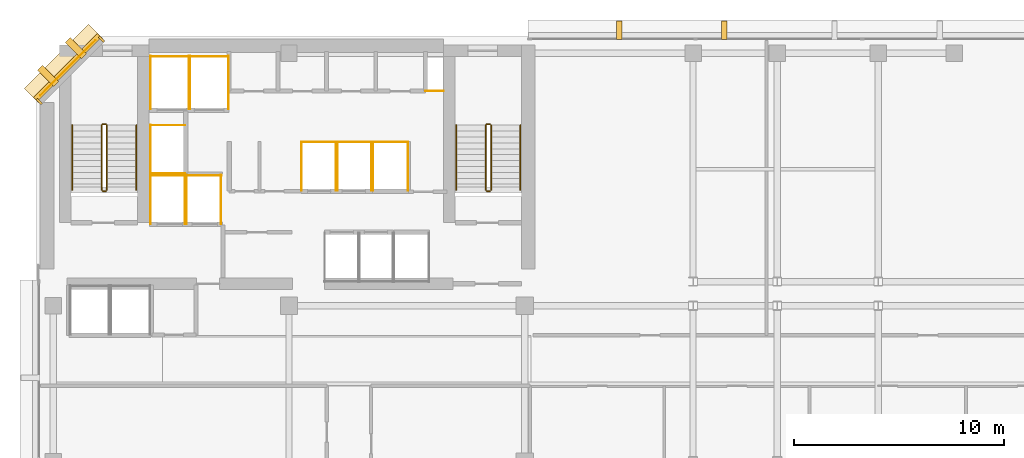
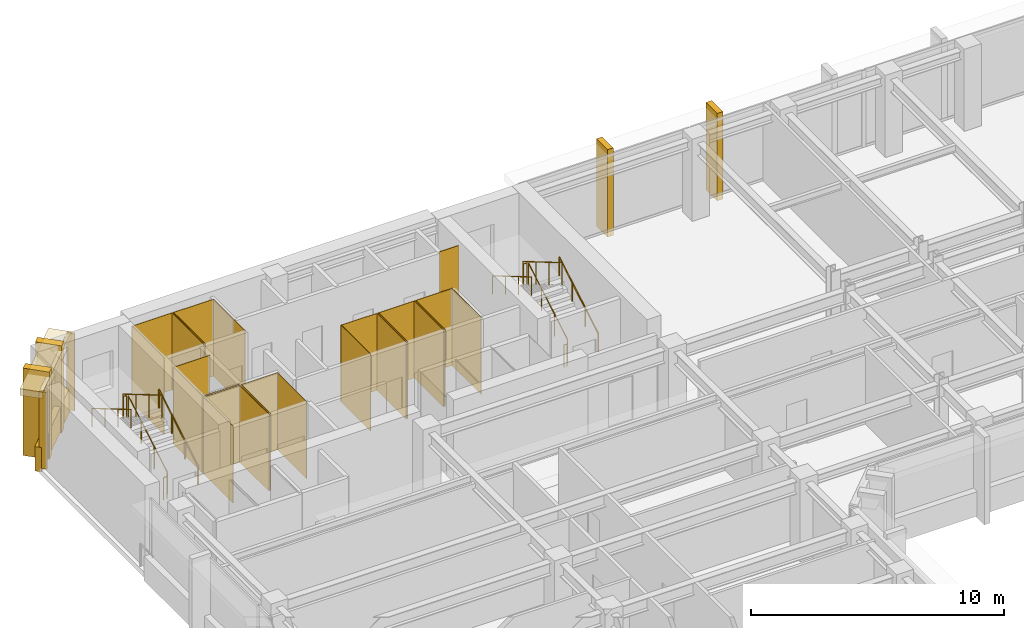
# One storey, part 11 of 12: 34 coverings, 12 railings.
"""IFC4 building model written with IfcOpenShell, lengths in metres."""

import ifcopenshell
import ifcopenshell.guid

model = None  # the IFC model being written
_history = None  # IfcOwnerHistory: only IFC2X3 demands one
_inside = {}  # id of a spatial element -> (the spatial element, [elements in it])
_under = {}  # id of a project, library or spatial element -> (it, [spatial elements below it])
_declared = {}  # id of a project -> (the project, [libraries it declares])
_typed = {}  # id of a type object -> (the type object, [elements of that type])
_made_of = {}  # id of a material, layer set ... -> (it, [elements and type objects made of it])


def new_model(schema):
    """Start an empty IFC model of exactly this schema.

    Asked for "IFC4X3", IfcOpenShell would pick the latest addendum, in which some entities
    have other attributes; the version numbers below select the first issue.
    IFC2X3 requires an IfcOwnerHistory on every rooted entity: one is made here for all.
    """
    global model, _history
    if schema == "IFC4X3":
        model = ifcopenshell.file(schema_version=(4, 3, 0, 0))
    else:
        model = ifcopenshell.file(schema=schema)
    _inside.clear()
    _under.clear()
    _declared.clear()
    _typed.clear()
    _made_of.clear()
    _history = None
    if model.schema == "IFC2X3":
        org = make("IfcOrganization", Name="unknown")
        user = make(
            "IfcPersonAndOrganization",
            ThePerson=make("IfcPerson", FamilyName="unknown"),
            TheOrganization=org,
        )
        app = make(
            "IfcApplication",
            ApplicationDeveloper=org,
            Version="unknown",
            ApplicationFullName="unknown",
            ApplicationIdentifier="unknown",
        )
        _history = make(
            "IfcOwnerHistory",
            OwningUser=user,
            OwningApplication=app,
            ChangeAction="ADDED",
            CreationDate=0,
        )
    return model


def make(cls, **values):
    """One entity of the class cls with the attributes given. An attribute that is None is left unset."""
    return model.create_entity(
        cls, **{name: value for name, value in values.items() if value is not None}
    )


def rooted(cls, **values):
    """An entity with a GlobalId (a new one), such as an element, a storey or a relation."""
    return make(cls, GlobalId=ifcopenshell.guid.new(), OwnerHistory=_history, **values)


def si_unit(unit_type, name, prefix=None):
    """IfcSIUnit, for example si_unit("LENGTHUNIT", "METRE", prefix="MILLI")."""
    return make("IfcSIUnit", UnitType=unit_type, Prefix=prefix, Name=name)


def assignment(units):
    """IfcUnitAssignment: the units of a project."""
    return None if units is None else make("IfcUnitAssignment", Units=units)


def point(xyz):
    """IfcCartesianPoint."""
    return None if xyz is None else make("IfcCartesianPoint", Coordinates=xyz)


def direction(xyz):
    """IfcDirection."""
    return None if xyz is None else make("IfcDirection", DirectionRatios=xyz)


def frame(location, z_axis=None, x_axis=None):
    """IfcAxis2Placement3D, a coordinate frame: its origin and axes. An axis left out is left unset."""
    return make(
        "IfcAxis2Placement3D",
        Location=point(location),
        Axis=direction(z_axis),
        RefDirection=direction(x_axis),
    )


def frame_2d(location, x_axis=None):
    """IfcAxis2Placement2D, a coordinate frame in the plane: its origin and x axis."""
    return make(
        "IfcAxis2Placement2D", Location=point(location), RefDirection=direction(x_axis)
    )


def origin():
    """The frame at (0, 0, 0) with its axes left unset."""
    return frame((0.0, 0.0, 0.0))


def origin_2d():
    """The frame at (0, 0) in the plane with its x axis left unset."""
    return frame_2d((0.0, 0.0))


def place(relative_to, where):
    """IfcLocalPlacement: puts the frame where relative to a parent placement (None: the world)."""
    return make(
        "IfcLocalPlacement", PlacementRelTo=relative_to, RelativePlacement=where
    )


def context(
    kind, dimensions, precision=None, world=None, true_north=None, identifier=None
):
    """IfcGeometricRepresentationContext, for example the 3D "Model" context."""
    return make(
        "IfcGeometricRepresentationContext",
        ContextIdentifier=identifier,
        ContextType=kind,
        CoordinateSpaceDimension=dimensions,
        Precision=precision,
        WorldCoordinateSystem=world,
        TrueNorth=true_north,
    )


def subcontext(parent, identifier, kind, view, scale=None):
    """IfcGeometricRepresentationSubContext, for example "Body" below "Model"."""
    return make(
        "IfcGeometricRepresentationSubContext",
        ContextIdentifier=identifier,
        ContextType=kind,
        ParentContext=parent,
        TargetScale=scale,
        TargetView=view,
    )


def project(units=None, contexts=None):
    """IfcProject with its units and contexts."""
    return rooted(
        "IfcProject",
        Name="project",
        RepresentationContexts=contexts,
        UnitsInContext=assignment(units),
    )


def spatial(cls, under=None, at=None, **own):
    """A site, building, storey or space (cls), placed at a placement, below another one or the project."""
    s = rooted(cls, ObjectPlacement=at, **own)
    if under is not None:
        _under.setdefault(under.id(), (under, []))[1].append(s)
    return s


def polyline(points):
    """IfcPolyline through the points."""
    return make("IfcPolyline", Points=[point(p) for p in points])


def profile(cls, at=None, kind="AREA", **sizes):
    """A parametric profile (cls). Its sizes go by their IFC names, for example OverallWidth=200.0."""
    return make(cls, ProfileType=kind, Position=at, **sizes)


def rectangle(**sizes):
    """IfcRectangleProfileDef."""
    return profile("IfcRectangleProfileDef", **sizes)


def circle(**sizes):
    """IfcCircleProfileDef."""
    return profile("IfcCircleProfileDef", **sizes)


def outline(outer, holes=None, kind="AREA"):
    """IfcArbitraryClosedProfileDef: a profile drawn as a closed curve; with holes, ...WithVoids."""
    if holes is None:
        return make("IfcArbitraryClosedProfileDef", ProfileType=kind, OuterCurve=outer)
    return make(
        "IfcArbitraryProfileDefWithVoids",
        ProfileType=kind,
        OuterCurve=outer,
        InnerCurves=holes,
    )


def extrude(swept, where, along, depth):
    """IfcExtrudedAreaSolid: the profile swept, set in the frame where, extruded along a direction by depth."""
    return make(
        "IfcExtrudedAreaSolid",
        SweptArea=swept,
        Position=where,
        ExtrudedDirection=direction(along),
        Depth=depth,
    )


def shape(context_of_items, identifier, shape_type, items):
    """IfcShapeRepresentation: the items that make up one representation, for example the "Body"."""
    return make(
        "IfcShapeRepresentation",
        ContextOfItems=context_of_items,
        RepresentationIdentifier=identifier,
        RepresentationType=shape_type,
        Items=items,
    )


def material(Name=None, Category=None):
    """IfcMaterial."""
    return make("IfcMaterial", Name=Name, Category=Category)


def layer(
    of_material, thickness, ventilated=None, Name=None, Category=None, Priority=None
):
    """IfcMaterialLayer: one layer of a wall or slab, of a material (None: an air gap)."""
    return make(
        "IfcMaterialLayer",
        Material=of_material,
        LayerThickness=thickness,
        IsVentilated=ventilated,
        Name=Name,
        Category=Category,
        Priority=Priority,
    )


def layer_set(layers, Name=None):
    """IfcMaterialLayerSet."""
    return make("IfcMaterialLayerSet", MaterialLayers=layers, LayerSetName=Name)


def made_of(thing, what):
    """Note that an element or type object is made of a material, layer set ...; save() writes the relation."""
    if what is not None:
        _made_of.setdefault(what.id(), (what, []))[1].append(thing)
    return thing


def type_object(cls, material=None, **own):
    """A type object (cls), such as IfcWallType, which elements share."""
    return made_of(rooted(cls, **own), material)


def element(
    cls,
    number,
    at=None,
    inside=None,
    cuts=None,
    type_object=None,
    material=None,
    context=None,
    identifier="Body",
    shape_type=None,
    held_by="IfcProductDefinitionShape",
    body=None,
    shapes=None,
    **own,
):
    """One element of the class cls, such as IfcWall. Its Tag is "e" and its number.

    at: its placement. inside: the storey or other place that contains it. cuts: it is an
    opening in that element (IfcRelVoidsElement). A single representation is given by context,
    identifier, shape_type and body (its items); several are given by shapes. held_by: the class
    of the entity that holds the representations. save() writes the other relations.
    """
    e = rooted(cls, Tag="e%d" % number, ObjectPlacement=at, **own)
    if body is not None:
        shapes = [shape(context, identifier, shape_type, body)]
    if shapes is not None:
        e.Representation = make(held_by, Representations=shapes)
    if inside is not None:
        _inside.setdefault(inside.id(), (inside, []))[1].append(e)
    if cuts is not None:
        rooted(
            "IfcRelVoidsElement", RelatingBuildingElement=cuts, RelatedOpeningElement=e
        )
    if type_object is not None:
        _typed.setdefault(type_object.id(), (type_object, []))[1].append(e)
    return made_of(e, material)


def aggregate(whole, parts):
    """IfcRelAggregates: a whole, such as a stair, and the parts it consists of."""
    return rooted("IfcRelAggregates", RelatingObject=whole, RelatedObjects=parts)


def save(model, path):
    """Write the relations noted so far, then the file.

    IfcRelAggregates (storeys below a building ...), IfcRelContainedInSpatialStructure (elements
    in a storey), IfcRelDefinesByType, IfcRelAssociatesMaterial and IfcRelDeclares: one each for
    every whole, place, type object, material and project.
    """
    for whole, parts in _under.values():
        aggregate(whole, parts)
    for where, things in _inside.values():
        rooted(
            "IfcRelContainedInSpatialStructure",
            RelatedElements=things,
            RelatingStructure=where,
        )
    for kind, things in _typed.values():
        rooted("IfcRelDefinesByType", RelatedObjects=things, RelatingType=kind)
    for what, things in _made_of.values():
        rooted("IfcRelAssociatesMaterial", RelatedObjects=things, RelatingMaterial=what)
    for by, libraries in _declared.values():
        rooted("IfcRelDeclares", RelatingContext=by, RelatedDefinitions=libraries)
    model.write(path)


model = new_model("IFC4")

# Units and contexts
model_context = context("Model", 3, precision=1e-05, world=origin(), true_north=direction((0.0, 1.0)))
body_context = subcontext(model_context, "Body", "Model", "MODEL_VIEW")
ifc_project = project(units=[si_unit("LENGTHUNIT", "METRE"), si_unit("AREAUNIT", "SQUARE_METRE"), si_unit("VOLUMEUNIT", "CUBIC_METRE"), si_unit("PLANEANGLEUNIT", "RADIAN"), si_unit("MASSUNIT", "GRAM", prefix="KILO")], contexts=[model_context])

# Site, building, storey
site_placement = place(None, origin())
site = spatial("IfcSite", under=ifc_project, at=site_placement, CompositionType="ELEMENT")
building_placement = place(site_placement, origin())
building = spatial("IfcBuilding", under=site, at=building_placement, Name="Kefirva Bronze Tower", CompositionType="ELEMENT")
storey_placement = place(building_placement, frame((0.0, 0.0, 211.199951171875)))
storey = spatial("IfcBuildingStorey", under=building, at=storey_placement, Name="L51", CompositionType="ELEMENT", Elevation=211.199951171875)

# Coverings
ifc_material_1 = material(Name="Bronze anodised aluminium", Category="aluminium")
ifc_layer_1 = layer(ifc_material_1, 0.02001953125, Name="Bronze anodised aluminium")
ifc_layer_set_1 = layer_set([ifc_layer_1], Name="Bronze anodised aluminium")
covering_type_1 = type_object("IfcCoveringType", Name="Anodised Bronze Spandrel Cladding 20mm", PredefinedType="CLADDING", material=ifc_layer_set_1)
covering_1_placement = place(storey_placement, frame((1.492919921875, 44.507080078125, 3.2900390625), z_axis=(0.0, 0.0, 1.0), x_axis=(-0.707106781187, -0.707106781187, 0.0)))
element("IfcCovering", 1, at=covering_1_placement, inside=storey, type_object=covering_type_1, Name="L51 Bronze Spandrel Cladding 9", PredefinedType="CLADDING", context=body_context, shape_type="SweptSolid", body=[
    extrude(rectangle(XDim=3.719482421875, YDim=0.02001953125, at=origin_2d()), origin(), (0.0, 0.0, 1.0), 0.39990234375),
])
for number, where, z_axis, x_axis, name in (
    (2, (3.08837890625, 45.862060546875, 0.0), (0.0, 0.0, 1.0), (-0.707106781187, -0.707106781187, 0.0), "L51 Facade Joint Closure Panel 9S"),
    (3, (0.137939453125, 42.91162109375, 0.0), (0.0, 0.0, 1.0), (-0.707106781187, -0.707106781187, 0.0), "L51 Facade Joint Closure Panel 9E"),
):
    element("IfcCovering", number, at=place(storey_placement, frame(where, z_axis=z_axis, x_axis=x_axis)), inside=storey, type_object=covering_type_1, Name=name, PredefinedType="CLADDING", context=body_context, shape_type="SweptSolid", body=[
        extrude(rectangle(XDim=0.10009765625, YDim=0.320068359375, at=origin_2d()), origin(), (0.0, 0.0, 1.0), 3.7099609375),
    ])
covering_2_placement = place(storey_placement, frame((1.4716796875, 44.5283203125, -0.16015625), z_axis=(0.0, 0.0, 1.0), x_axis=(-0.707106781187, -0.707106781187, 0.0)))
element("IfcCovering", 4, at=covering_2_placement, inside=storey, type_object=covering_type_1, Name="L51 Streamline Horizontal Spandrel Band 13", PredefinedType="CLADDING", context=body_context, shape_type="SweptSolid", body=[
    extrude(rectangle(XDim=4.28271484375, YDim=0.280029296875, at=origin_2d()), origin(), (0.0, 0.0, 1.0), 1.179931640625),
])
covering_3_placement = place(storey_placement, origin())
element("IfcCovering", 5, at=covering_3_placement, inside=storey, type_object=covering_type_1, Name="L51 Lift FF1 Hoistway Liner N", PredefinedType="CLADDING", context=body_context, shape_type="SweptSolid", body=[
    extrude(outline(polyline([(5.39990234375, 39.389892578125), (7.080078125, 39.389892578125), (7.080078125, 39.409912109375), (5.39990234375, 39.409912109375), (5.39990234375, 39.389892578125)])), origin(), (0.0, 0.0, 1.0), 3.7099609375),
])
covering_4_placement = place(storey_placement, origin())
element("IfcCovering", 6, at=covering_4_placement, inside=storey, type_object=covering_type_1, Name="L51 Lift FF1 Hoistway Liner W", PredefinedType="CLADDING", context=body_context, shape_type="SweptSolid", body=[
    extrude(outline(polyline([(5.409912109375, 37.080078125), (5.429931640625, 37.080078125), (5.429931640625, 39.419921875), (5.409912109375, 39.419921875), (5.409912109375, 37.080078125)])), origin(), (0.0, 0.0, 1.0), 3.7099609375),
])
covering_5_placement = place(storey_placement, origin())
element("IfcCovering", 7, at=covering_5_placement, inside=storey, type_object=covering_type_1, Name="L51 Lift FF1 Hoistway Liner E", PredefinedType="CLADDING", context=body_context, shape_type="SweptSolid", body=[
    extrude(outline(polyline([(7.050048828125, 37.080078125), (7.070068359375, 37.080078125), (7.070068359375, 39.419921875), (7.050048828125, 39.419921875), (7.050048828125, 37.080078125)])), origin(), (0.0, 0.0, 1.0), 3.7099609375),
])
covering_6_placement = place(storey_placement, origin())
element("IfcCovering", 8, at=covering_6_placement, inside=storey, type_object=covering_type_1, Name="L51 Lift FF2 Hoistway Liner N", PredefinedType="CLADDING", context=body_context, shape_type="SweptSolid", body=[
    extrude(outline(polyline([(7.1201171875, 39.389892578125), (8.800048828125, 39.389892578125), (8.800048828125, 39.409912109375), (7.1201171875, 39.409912109375), (7.1201171875, 39.389892578125)])), origin(), (0.0, 0.0, 1.0), 3.7099609375),
])
covering_7_placement = place(storey_placement, origin())
element("IfcCovering", 9, at=covering_7_placement, inside=storey, type_object=covering_type_1, Name="L51 Lift FF2 Hoistway Liner W", PredefinedType="CLADDING", context=body_context, shape_type="SweptSolid", body=[
    extrude(outline(polyline([(7.1298828125, 37.080078125), (7.14990234375, 37.080078125), (7.14990234375, 39.419921875), (7.1298828125, 39.419921875), (7.1298828125, 37.080078125)])), origin(), (0.0, 0.0, 1.0), 3.7099609375),
])
covering_8_placement = place(storey_placement, origin())
element("IfcCovering", 10, at=covering_8_placement, inside=storey, type_object=covering_type_1, Name="L51 Lift FF2 Hoistway Liner E", PredefinedType="CLADDING", context=body_context, shape_type="SweptSolid", body=[
    extrude(outline(polyline([(8.77001953125, 37.080078125), (8.7900390625, 37.080078125), (8.7900390625, 39.419921875), (8.77001953125, 39.419921875), (8.77001953125, 37.080078125)])), origin(), (0.0, 0.0, 1.0), 3.7099609375),
])
covering_9_placement = place(storey_placement, origin())
element("IfcCovering", 11, at=covering_9_placement, inside=storey, type_object=covering_type_1, Name="L51 Lift SV1 Hoistway Liner N", PredefinedType="CLADDING", context=body_context, shape_type="SweptSolid", body=[
    extrude(outline(polyline([(5.39990234375, 45.0400390625), (7.260009765625, 45.0400390625), (7.260009765625, 45.06005859375), (5.39990234375, 45.06005859375), (5.39990234375, 45.0400390625)])), origin(), (0.0, 0.0, 1.0), 3.7099609375),
])
covering_10_placement = place(storey_placement, origin())
element("IfcCovering", 12, at=covering_10_placement, inside=storey, type_object=covering_type_1, Name="L51 Lift SV1 Hoistway Liner W", PredefinedType="CLADDING", context=body_context, shape_type="SweptSolid", body=[
    extrude(outline(polyline([(5.409912109375, 42.530029296875), (5.429931640625, 42.530029296875), (5.429931640625, 45.070068359375), (5.409912109375, 45.070068359375), (5.409912109375, 42.530029296875)])), origin(), (0.0, 0.0, 1.0), 3.7099609375),
])
covering_11_placement = place(storey_placement, origin())
element("IfcCovering", 13, at=covering_11_placement, inside=storey, type_object=covering_type_1, Name="L51 Lift SV1 Hoistway Liner E", PredefinedType="CLADDING", context=body_context, shape_type="SweptSolid", body=[
    extrude(outline(polyline([(7.22998046875, 42.530029296875), (7.25, 42.530029296875), (7.25, 45.070068359375), (7.22998046875, 45.070068359375), (7.22998046875, 42.530029296875)])), origin(), (0.0, 0.0, 1.0), 3.7099609375),
])
covering_12_placement = place(storey_placement, origin())
element("IfcCovering", 14, at=covering_12_placement, inside=storey, type_object=covering_type_1, Name="L51 Lift SV2 Hoistway Liner N", PredefinedType="CLADDING", context=body_context, shape_type="SweptSolid", body=[
    extrude(outline(polyline([(7.280029296875, 45.0400390625), (9.139892578125, 45.0400390625), (9.139892578125, 45.06005859375), (7.280029296875, 45.06005859375), (7.280029296875, 45.0400390625)])), origin(), (0.0, 0.0, 1.0), 3.7099609375),
])
covering_13_placement = place(storey_placement, origin())
element("IfcCovering", 15, at=covering_13_placement, inside=storey, type_object=covering_type_1, Name="L51 Lift SV2 Hoistway Liner W", PredefinedType="CLADDING", context=body_context, shape_type="SweptSolid", body=[
    extrude(outline(polyline([(7.2900390625, 42.530029296875), (7.31005859375, 42.530029296875), (7.31005859375, 45.070068359375), (7.2900390625, 45.070068359375), (7.2900390625, 42.530029296875)])), origin(), (0.0, 0.0, 1.0), 3.7099609375),
])
covering_14_placement = place(storey_placement, origin())
element("IfcCovering", 16, at=covering_14_placement, inside=storey, type_object=covering_type_1, Name="L51 Lift SV2 Hoistway Liner E", PredefinedType="CLADDING", context=body_context, shape_type="SweptSolid", body=[
    extrude(outline(polyline([(9.110107421875, 42.530029296875), (9.1298828125, 42.530029296875), (9.1298828125, 45.070068359375), (9.110107421875, 45.070068359375), (9.110107421875, 42.530029296875)])), origin(), (0.0, 0.0, 1.0), 3.7099609375),
])
covering_15_placement = place(storey_placement, origin())
element("IfcCovering", 17, at=covering_15_placement, inside=storey, type_object=covering_type_1, Name="L51 Lift MP3 Hoistway Liner N", PredefinedType="CLADDING", context=body_context, shape_type="SweptSolid", body=[
    extrude(outline(polyline([(12.580078125, 40.969970703125), (14.25, 40.969970703125), (14.25, 40.989990234375), (12.580078125, 40.989990234375), (12.580078125, 40.969970703125)])), origin(), (0.0, 0.0, 1.0), 3.7099609375),
])
covering_16_placement = place(storey_placement, origin())
element("IfcCovering", 18, at=covering_16_placement, inside=storey, type_object=covering_type_1, Name="L51 Lift MP3 Hoistway Liner W", PredefinedType="CLADDING", context=body_context, shape_type="SweptSolid", body=[
    extrude(outline(polyline([(12.590087890625, 38.659912109375), (12.610107421875, 38.659912109375), (12.610107421875, 41.0), (12.590087890625, 41.0), (12.590087890625, 38.659912109375)])), origin(), (0.0, 0.0, 1.0), 3.7099609375),
])
covering_17_placement = place(storey_placement, origin())
element("IfcCovering", 19, at=covering_17_placement, inside=storey, type_object=covering_type_1, Name="L51 Lift MP3 Hoistway Liner E", PredefinedType="CLADDING", context=body_context, shape_type="SweptSolid", body=[
    extrude(outline(polyline([(14.219970703125, 38.659912109375), (14.239990234375, 38.659912109375), (14.239990234375, 41.0), (14.219970703125, 41.0), (14.219970703125, 38.659912109375)])), origin(), (0.0, 0.0, 1.0), 3.7099609375),
])
covering_18_placement = place(storey_placement, origin())
element("IfcCovering", 20, at=covering_18_placement, inside=storey, type_object=covering_type_1, Name="L51 Lift MP4 Hoistway Liner N", PredefinedType="CLADDING", context=body_context, shape_type="SweptSolid", body=[
    extrude(outline(polyline([(14.280029296875, 40.969970703125), (15.949951171875, 40.969970703125), (15.949951171875, 40.989990234375), (14.280029296875, 40.989990234375), (14.280029296875, 40.969970703125)])), origin(), (0.0, 0.0, 1.0), 3.7099609375),
])
covering_19_placement = place(storey_placement, origin())
element("IfcCovering", 21, at=covering_19_placement, inside=storey, type_object=covering_type_1, Name="L51 Lift MP4 Hoistway Liner W", PredefinedType="CLADDING", context=body_context, shape_type="SweptSolid", body=[
    extrude(outline(polyline([(14.2900390625, 38.659912109375), (14.31005859375, 38.659912109375), (14.31005859375, 41.0), (14.2900390625, 41.0), (14.2900390625, 38.659912109375)])), origin(), (0.0, 0.0, 1.0), 3.7099609375),
])
covering_20_placement = place(storey_placement, origin())
element("IfcCovering", 22, at=covering_20_placement, inside=storey, type_object=covering_type_1, Name="L51 Lift MP4 Hoistway Liner E", PredefinedType="CLADDING", context=body_context, shape_type="SweptSolid", body=[
    extrude(outline(polyline([(15.919921875, 38.659912109375), (15.93994140625, 38.659912109375), (15.93994140625, 41.0), (15.919921875, 41.0), (15.919921875, 38.659912109375)])), origin(), (0.0, 0.0, 1.0), 3.7099609375),
])
covering_21_placement = place(storey_placement, origin())
element("IfcCovering", 23, at=covering_21_placement, inside=storey, type_object=covering_type_1, Name="L51 Lift HP2 Hoistway Liner N", PredefinedType="CLADDING", context=body_context, shape_type="SweptSolid", body=[
    extrude(outline(polyline([(15.97998046875, 40.969970703125), (17.669921875, 40.969970703125), (17.669921875, 40.989990234375), (15.97998046875, 40.989990234375), (15.97998046875, 40.969970703125)])), origin(), (0.0, 0.0, 1.0), 3.7099609375),
])
covering_22_placement = place(storey_placement, origin())
element("IfcCovering", 24, at=covering_22_placement, inside=storey, type_object=covering_type_1, Name="L51 Lift HP2 Hoistway Liner W", PredefinedType="CLADDING", context=body_context, shape_type="SweptSolid", body=[
    extrude(outline(polyline([(15.989990234375, 38.659912109375), (16.010009765625, 38.659912109375), (16.010009765625, 41.0), (15.989990234375, 41.0), (15.989990234375, 38.659912109375)])), origin(), (0.0, 0.0, 1.0), 3.7099609375),
])
covering_23_placement = place(storey_placement, origin())
element("IfcCovering", 25, at=covering_23_placement, inside=storey, type_object=covering_type_1, Name="L51 Lift HP2 Hoistway Liner E", PredefinedType="CLADDING", context=body_context, shape_type="SweptSolid", body=[
    extrude(outline(polyline([(17.639892578125, 38.659912109375), (17.659912109375, 38.659912109375), (17.659912109375, 41.0), (17.639892578125, 41.0), (17.639892578125, 38.659912109375)])), origin(), (0.0, 0.0, 1.0), 3.7099609375),
])
covering_24_placement = place(storey_placement, origin())
element("IfcCovering", 26, at=covering_24_placement, inside=storey, type_object=covering_type_1, Name="L51 Lift HP3 Hoistway Liner N", PredefinedType="CLADDING", context=body_context, shape_type="SweptSolid", body=[
    extrude(outline(polyline([(5.39990234375, 41.77001953125), (7.080078125, 41.77001953125), (7.080078125, 41.7900390625), (5.39990234375, 41.7900390625), (5.39990234375, 41.77001953125)])), origin(), (0.0, 0.0, 1.0), 3.7099609375),
])
covering_25_placement = place(storey_placement, origin())
element("IfcCovering", 27, at=covering_25_placement, inside=storey, type_object=covering_type_1, Name="L51 Lift HP3 Hoistway Liner S", PredefinedType="CLADDING", context=body_context, shape_type="SweptSolid", body=[
    extrude(outline(polyline([(5.39990234375, 39.469970703125), (7.080078125, 39.469970703125), (7.080078125, 39.489990234375), (5.39990234375, 39.489990234375), (5.39990234375, 39.469970703125)])), origin(), (0.0, 0.0, 1.0), 3.7099609375),
])
covering_26_placement = place(storey_placement, origin())
element("IfcCovering", 28, at=covering_26_placement, inside=storey, type_object=covering_type_1, Name="L51 Lift HP3 Hoistway Liner W", PredefinedType="CLADDING", context=body_context, shape_type="SweptSolid", body=[
    extrude(outline(polyline([(5.409912109375, 39.4599609375), (5.429931640625, 39.4599609375), (5.429931640625, 41.800048828125), (5.409912109375, 41.800048828125), (5.409912109375, 39.4599609375)])), origin(), (0.0, 0.0, 1.0), 3.7099609375),
])
covering_27_placement = place(storey_placement, origin())
element("IfcCovering", 29, at=covering_27_placement, inside=storey, type_object=covering_type_1, Name="L51 Core MEP Riser Shaft Liner South", PredefinedType="CLADDING", context=body_context, shape_type="SweptSolid", body=[
    extrude(outline(polyline([(18.47998046875, 43.39990234375), (19.360107421875, 43.39990234375), (19.360107421875, 43.429931640625), (18.47998046875, 43.429931640625), (18.47998046875, 43.39990234375)])), origin(), (0.0, 0.0, 1.0), 3.7099609375),
])

# Railings
ifc_material_2 = material(Name="Stainless steel 316", Category="steel")
railing_type_1 = type_object("IfcRailingType", Name="Interior Stair Guardrail 1100mm", PredefinedType="GUARDRAIL", material=ifc_material_2)
railing_1_placement = place(storey_placement, frame((3.35009765625, 38.699951171875, 0.1650390625)))
element("IfcRailing", 30, at=railing_1_placement, inside=storey, type_object=railing_type_1, Name="L51 ST-1 stair guard 1", PredefinedType="GUARDRAIL", context=body_context, shape_type="SweptSolid", body=[
    extrude(circle(Radius=0.02392578125, at=origin_2d()), frame((0.0, 0.0, 1.076171875), z_axis=(0.0, 0.861551262678, 0.507670583921), x_axis=(-1.0, 0.0, 0.0)), (0.0, 0.0, 1.0), 3.574951171875),
    extrude(circle(Radius=0.02099609375, at=origin_2d()), origin(), (0.0, 0.0, 1.0), 1.052001953125),
    extrude(circle(Radius=0.02099609375, at=origin_2d()), frame((0.0, 1.026611328125, 0.60498046875)), (0.0, 0.0, 1.0), 1.052001953125),
    extrude(circle(Radius=0.02099609375, at=origin_2d()), frame((0.0, 2.053466796875, 1.2099609375)), (0.0, 0.0, 1.0), 1.052001953125),
    extrude(circle(Radius=0.02099609375, at=origin_2d()), frame((0.0, 3.080078125, 1.81494140625)), (0.0, 0.0, 1.0), 1.052001953125),
])
railing_2_placement = place(storey_placement, frame((3.300048828125, 41.830078125, 1.97998046875)))
element("IfcRailing", 31, at=railing_2_placement, inside=storey, type_object=railing_type_1, Name="L51 ST-1 stair guard 2", PredefinedType="GUARDRAIL", context=body_context, shape_type="SweptSolid", body=[
    extrude(circle(Radius=0.02392578125, at=origin_2d()), frame((0.0, 0.0, 1.076171875), z_axis=(-1.0, 0.0, 0.0), x_axis=(0.0, -1.0, 0.0)), (0.0, 0.0, 1.0), 0.150146484375),
    extrude(circle(Radius=0.02099609375, at=origin_2d()), origin(), (0.0, 0.0, 1.0), 1.052001953125),
    extrude(circle(Radius=0.02099609375, at=origin_2d()), frame((-0.150146484375, 0.0, 0.0)), (0.0, 0.0, 1.0), 1.052001953125),
])
railing_3_placement = place(storey_placement, frame((3.10009765625, 41.780029296875, 2.14501953125)))
element("IfcRailing", 32, at=railing_3_placement, inside=storey, type_object=railing_type_1, Name="L51 ST-1 stair guard 3", PredefinedType="GUARDRAIL", context=body_context, shape_type="SweptSolid", body=[
    extrude(circle(Radius=0.02392578125, at=origin_2d()), frame((0.0, 0.0, 1.076171875), z_axis=(0.0, -0.861551262678, 0.507670583921), x_axis=(1.0, 0.0, 0.0)), (0.0, 0.0, 1.0), 3.574951171875),
    extrude(circle(Radius=0.02099609375, at=origin_2d()), origin(), (0.0, 0.0, 1.0), 1.052001953125),
    extrude(circle(Radius=0.02099609375, at=origin_2d()), frame((0.0, -1.026611328125, 0.60498046875)), (0.0, 0.0, 1.0), 1.052001953125),
    extrude(circle(Radius=0.02099609375, at=origin_2d()), frame((0.0, -2.053466796875, 1.2099609375)), (0.0, 0.0, 1.0), 1.052001953125),
    extrude(circle(Radius=0.02099609375, at=origin_2d()), frame((0.0, -3.080078125, 1.81494140625)), (0.0, 0.0, 1.0), 1.052001953125),
])
railing_4_placement = place(storey_placement, frame((3.300048828125, 38.64990234375, 0.0)))
element("IfcRailing", 33, at=railing_4_placement, inside=storey, type_object=railing_type_1, Name="L51 ST-1 stair guard 4", PredefinedType="GUARDRAIL", context=body_context, shape_type="SweptSolid", body=[
    extrude(circle(Radius=0.02392578125, at=origin_2d()), frame((0.0, 0.0, 1.076171875), z_axis=(-1.0, 0.0, 0.0), x_axis=(0.0, -1.0, 0.0)), (0.0, 0.0, 1.0), 0.150146484375),
    extrude(circle(Radius=0.02099609375, at=origin_2d()), origin(), (0.0, 0.0, 1.0), 1.052001953125),
    extrude(circle(Radius=0.02099609375, at=origin_2d()), frame((-0.150146484375, 0.0, 0.0)), (0.0, 0.0, 1.0), 1.052001953125),
])
railing_5_placement = place(storey_placement, frame((21.60009765625, 38.699951171875, 0.1650390625)))
element("IfcRailing", 34, at=railing_5_placement, inside=storey, type_object=railing_type_1, Name="L51 ST-2 stair guard 1", PredefinedType="GUARDRAIL", context=body_context, shape_type="SweptSolid", body=[
    extrude(circle(Radius=0.02392578125, at=origin_2d()), frame((0.0, 0.0, 1.076171875), z_axis=(0.0, 0.861551262678, 0.507670583921), x_axis=(-1.0, 0.0, 0.0)), (0.0, 0.0, 1.0), 3.574951171875),
    extrude(circle(Radius=0.02099609375, at=origin_2d()), origin(), (0.0, 0.0, 1.0), 1.052001953125),
    extrude(circle(Radius=0.02099609375, at=origin_2d()), frame((0.0, 1.026611328125, 0.60498046875)), (0.0, 0.0, 1.0), 1.052001953125),
    extrude(circle(Radius=0.02099609375, at=origin_2d()), frame((0.0, 2.053466796875, 1.2099609375)), (0.0, 0.0, 1.0), 1.052001953125),
    extrude(circle(Radius=0.02099609375, at=origin_2d()), frame((0.0, 3.080078125, 1.81494140625)), (0.0, 0.0, 1.0), 1.052001953125),
])
railing_6_placement = place(storey_placement, frame((21.550048828125, 41.830078125, 1.97998046875)))
element("IfcRailing", 35, at=railing_6_placement, inside=storey, type_object=railing_type_1, Name="L51 ST-2 stair guard 2", PredefinedType="GUARDRAIL", context=body_context, shape_type="SweptSolid", body=[
    extrude(circle(Radius=0.02392578125, at=origin_2d()), frame((0.0, 0.0, 1.076171875), z_axis=(-1.0, 0.0, 0.0), x_axis=(0.0, -1.0, 0.0)), (0.0, 0.0, 1.0), 0.150146484375),
    extrude(circle(Radius=0.02099609375, at=origin_2d()), origin(), (0.0, 0.0, 1.0), 1.052001953125),
    extrude(circle(Radius=0.02099609375, at=origin_2d()), frame((-0.150146484375, 0.0, 0.0)), (0.0, 0.0, 1.0), 1.052001953125),
])
railing_7_placement = place(storey_placement, frame((21.35009765625, 41.780029296875, 2.14501953125)))
element("IfcRailing", 36, at=railing_7_placement, inside=storey, type_object=railing_type_1, Name="L51 ST-2 stair guard 3", PredefinedType="GUARDRAIL", context=body_context, shape_type="SweptSolid", body=[
    extrude(circle(Radius=0.02392578125, at=origin_2d()), frame((0.0, 0.0, 1.076171875), z_axis=(0.0, -0.861551262678, 0.507670583921), x_axis=(1.0, 0.0, 0.0)), (0.0, 0.0, 1.0), 3.574951171875),
    extrude(circle(Radius=0.02099609375, at=origin_2d()), origin(), (0.0, 0.0, 1.0), 1.052001953125),
    extrude(circle(Radius=0.02099609375, at=origin_2d()), frame((0.0, -1.026611328125, 0.60498046875)), (0.0, 0.0, 1.0), 1.052001953125),
    extrude(circle(Radius=0.02099609375, at=origin_2d()), frame((0.0, -2.053466796875, 1.2099609375)), (0.0, 0.0, 1.0), 1.052001953125),
    extrude(circle(Radius=0.02099609375, at=origin_2d()), frame((0.0, -3.080078125, 1.81494140625)), (0.0, 0.0, 1.0), 1.052001953125),
])
railing_8_placement = place(storey_placement, frame((21.550048828125, 38.64990234375, 0.0)))
element("IfcRailing", 37, at=railing_8_placement, inside=storey, type_object=railing_type_1, Name="L51 ST-2 stair guard 4", PredefinedType="GUARDRAIL", context=body_context, shape_type="SweptSolid", body=[
    extrude(circle(Radius=0.02392578125, at=origin_2d()), frame((0.0, 0.0, 1.076171875), z_axis=(-1.0, 0.0, 0.0), x_axis=(0.0, -1.0, 0.0)), (0.0, 0.0, 1.0), 0.150146484375),
    extrude(circle(Radius=0.02099609375, at=origin_2d()), origin(), (0.0, 0.0, 1.0), 1.052001953125),
    extrude(circle(Radius=0.02099609375, at=origin_2d()), frame((-0.150146484375, 0.0, 0.0)), (0.0, 0.0, 1.0), 1.052001953125),
])
railing_type_2 = type_object("IfcRailingType", Name="Stair Pitch Handrail 900mm", PredefinedType="HANDRAIL", material=ifc_material_2)
railing_9_placement = place(storey_placement, frame((4.75, 38.699951171875, 0.1650390625)))
element("IfcRailing", 38, at=railing_9_placement, inside=storey, type_object=railing_type_2, Name="L51 ST-1 stair handrail 1", PredefinedType="HANDRAIL", context=body_context, shape_type="SweptSolid", body=[
    extrude(circle(Radius=0.02392578125, at=origin_2d()), frame((0.0, 0.0, 0.8759765625), z_axis=(0.0, 0.861551262678, 0.507670583921), x_axis=(-1.0, 0.0, 0.0)), (0.0, 0.0, 1.0), 3.574951171875),
    extrude(circle(Radius=0.02099609375, at=origin_2d()), origin(), (0.0, 0.0, 1.0), 0.851806640625),
    extrude(circle(Radius=0.02099609375, at=origin_2d()), frame((0.0, 1.026611328125, 0.60498046875)), (0.0, 0.0, 1.0), 0.851806640625),
    extrude(circle(Radius=0.02099609375, at=origin_2d()), frame((0.0, 2.053466796875, 1.2099609375)), (0.0, 0.0, 1.0), 0.851806640625),
    extrude(circle(Radius=0.02099609375, at=origin_2d()), frame((0.0, 3.080078125, 1.81494140625)), (0.0, 0.0, 1.0), 0.851806640625),
])
railing_10_placement = place(storey_placement, frame((1.699951171875, 41.780029296875, 2.14501953125)))
element("IfcRailing", 39, at=railing_10_placement, inside=storey, type_object=railing_type_2, Name="L51 ST-1 stair handrail 2", PredefinedType="HANDRAIL", context=body_context, shape_type="SweptSolid", body=[
    extrude(circle(Radius=0.02392578125, at=origin_2d()), frame((0.0, 0.0, 0.8759765625), z_axis=(0.0, -0.861551262678, 0.507670583921), x_axis=(1.0, 0.0, 0.0)), (0.0, 0.0, 1.0), 3.574951171875),
    extrude(circle(Radius=0.02099609375, at=origin_2d()), origin(), (0.0, 0.0, 1.0), 0.851806640625),
    extrude(circle(Radius=0.02099609375, at=origin_2d()), frame((0.0, -1.026611328125, 0.60498046875)), (0.0, 0.0, 1.0), 0.851806640625),
    extrude(circle(Radius=0.02099609375, at=origin_2d()), frame((0.0, -2.053466796875, 1.2099609375)), (0.0, 0.0, 1.0), 0.851806640625),
    extrude(circle(Radius=0.02099609375, at=origin_2d()), frame((0.0, -3.080078125, 1.81494140625)), (0.0, 0.0, 1.0), 0.851806640625),
])
railing_11_placement = place(storey_placement, frame((23.0, 38.699951171875, 0.1650390625)))
element("IfcRailing", 40, at=railing_11_placement, inside=storey, type_object=railing_type_2, Name="L51 ST-2 stair handrail 1", PredefinedType="HANDRAIL", context=body_context, shape_type="SweptSolid", body=[
    extrude(circle(Radius=0.02392578125, at=origin_2d()), frame((0.0, 0.0, 0.8759765625), z_axis=(0.0, 0.861551262678, 0.507670583921), x_axis=(-1.0, 0.0, 0.0)), (0.0, 0.0, 1.0), 3.574951171875),
    extrude(circle(Radius=0.02099609375, at=origin_2d()), origin(), (0.0, 0.0, 1.0), 0.851806640625),
    extrude(circle(Radius=0.02099609375, at=origin_2d()), frame((0.0, 1.026611328125, 0.60498046875)), (0.0, 0.0, 1.0), 0.851806640625),
    extrude(circle(Radius=0.02099609375, at=origin_2d()), frame((0.0, 2.053466796875, 1.2099609375)), (0.0, 0.0, 1.0), 0.851806640625),
    extrude(circle(Radius=0.02099609375, at=origin_2d()), frame((0.0, 3.080078125, 1.81494140625)), (0.0, 0.0, 1.0), 0.851806640625),
])
railing_12_placement = place(storey_placement, frame((19.949951171875, 41.780029296875, 2.14501953125)))
element("IfcRailing", 41, at=railing_12_placement, inside=storey, type_object=railing_type_2, Name="L51 ST-2 stair handrail 2", PredefinedType="HANDRAIL", context=body_context, shape_type="SweptSolid", body=[
    extrude(circle(Radius=0.02392578125, at=origin_2d()), frame((0.0, 0.0, 0.8759765625), z_axis=(0.0, -0.861551262678, 0.507670583921), x_axis=(1.0, 0.0, 0.0)), (0.0, 0.0, 1.0), 3.574951171875),
    extrude(circle(Radius=0.02099609375, at=origin_2d()), origin(), (0.0, 0.0, 1.0), 0.851806640625),
    extrude(circle(Radius=0.02099609375, at=origin_2d()), frame((0.0, -1.026611328125, 0.60498046875)), (0.0, 0.0, 1.0), 0.851806640625),
    extrude(circle(Radius=0.02099609375, at=origin_2d()), frame((0.0, -2.053466796875, 1.2099609375)), (0.0, 0.0, 1.0), 0.851806640625),
    extrude(circle(Radius=0.02099609375, at=origin_2d()), frame((0.0, -3.080078125, 1.81494140625)), (0.0, 0.0, 1.0), 0.851806640625),
])

# Coverings
ifc_layer_2 = layer(ifc_material_1, 0.179931640625, Name="Bronze anodised aluminium")
ifc_layer_set_2 = layer_set([ifc_layer_2], Name="Bronze anodised aluminium")
covering_type_2 = type_object("IfcCoveringType", Name="Streamline Bronze Sunshade Eyebrow Cladding 180mm", PredefinedType="CLADDING", material=ifc_layer_set_2)
covering_28_placement = place(storey_placement, frame((1.28076171875, 44.71923828125, 3.39013671875), z_axis=(0.0, 0.0, 1.0), x_axis=(-0.707106781187, -0.707106781187, 0.0)))
element("IfcCovering", 42, at=covering_28_placement, inside=storey, type_object=covering_type_2, Name="L51 Streamline Bronze Sunshade Eyebrow 13", PredefinedType="CLADDING", context=body_context, shape_type="SweptSolid", body=[
    extrude(rectangle(XDim=4.322509765625, YDim=0.93994140625, at=origin_2d()), origin(), (0.0, 0.0, 1.0), 0.320068359375),
])
ifc_layer_3 = layer(ifc_material_1, 0.260009765625, Name="Bronze anodised aluminium")
ifc_layer_set_3 = layer_set([ifc_layer_3], Name="Bronze anodised aluminium")
covering_type_3 = type_object("IfcCoveringType", Name="Unbroken Bronze Buttress Fin Cladding 260mm", PredefinedType="CLADDING", material=ifc_layer_set_3)
for number, where, z_axis, x_axis, name in (
    (43, (32.68505859375, 46.300048828125, -0.25), (0.0, 0.0, 1.0), (-1.0, 0.0, 0.0), "L51 Unbroken Vertical Bronze Rib Fin 19"),
    (44, (27.68798828125, 46.300048828125, -0.25), (0.0, 0.0, 1.0), (-1.0, 0.0, 0.0), "L51 Unbroken Vertical Bronze Rib Fin 20"),
):
    element("IfcCovering", number, at=place(storey_placement, frame(where, z_axis=z_axis, x_axis=x_axis)), inside=storey, type_object=covering_type_3, Name=name, PredefinedType="CLADDING", context=body_context, shape_type="SweptSolid", body=[
        extrude(rectangle(XDim=0.260009765625, YDim=0.8798828125, at=origin_2d()), origin(), (0.0, 0.0, 1.0), 4.2099609375),
    ])
for number, where, z_axis, x_axis, name in (
    (45, (1.877197265625, 45.44287109375, -0.25), (0.0, 0.0, 1.0), (-0.707106781187, -0.707106781187, 0.0), "L51 Chamfered Corner Buttress Fin Cladding 21"),
    (46, (0.55712890625, 44.122802734375, -0.25), (0.0, 0.0, 1.0), (-0.707106781187, -0.707106781187, 0.0), "L51 Chamfered Corner Buttress Fin Cladding 22"),
):
    element("IfcCovering", number, at=place(storey_placement, frame(where, z_axis=z_axis, x_axis=x_axis)), inside=storey, type_object=covering_type_3, Name=name, PredefinedType="CLADDING", context=body_context, shape_type="SweptSolid", body=[
        extrude(rectangle(XDim=0.340087890625, YDim=1.080078125, at=origin_2d()), origin(), (0.0, 0.0, 1.0), 4.2099609375),
    ])

save(model, "model.ifc")
